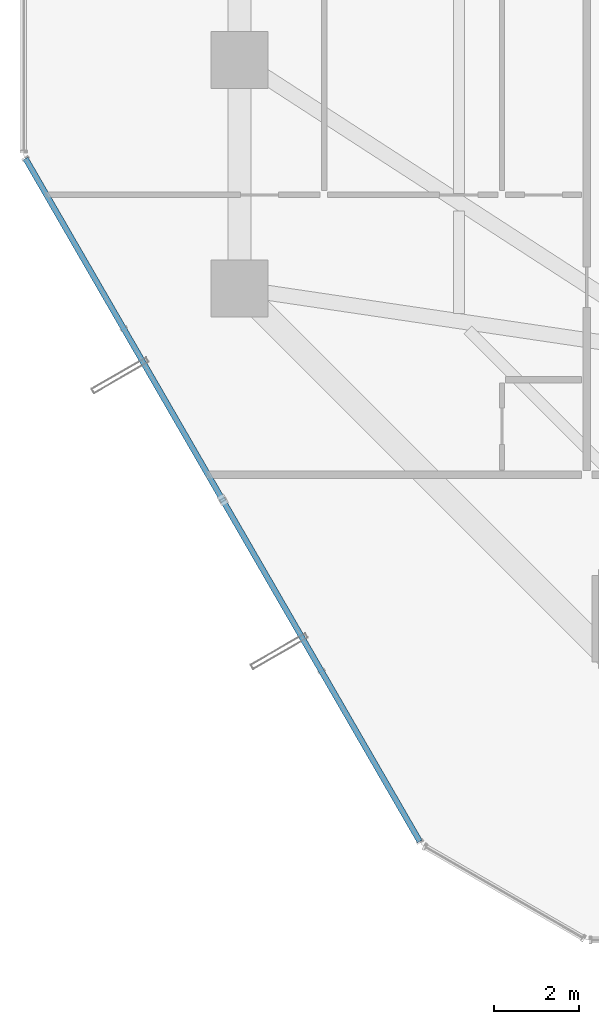
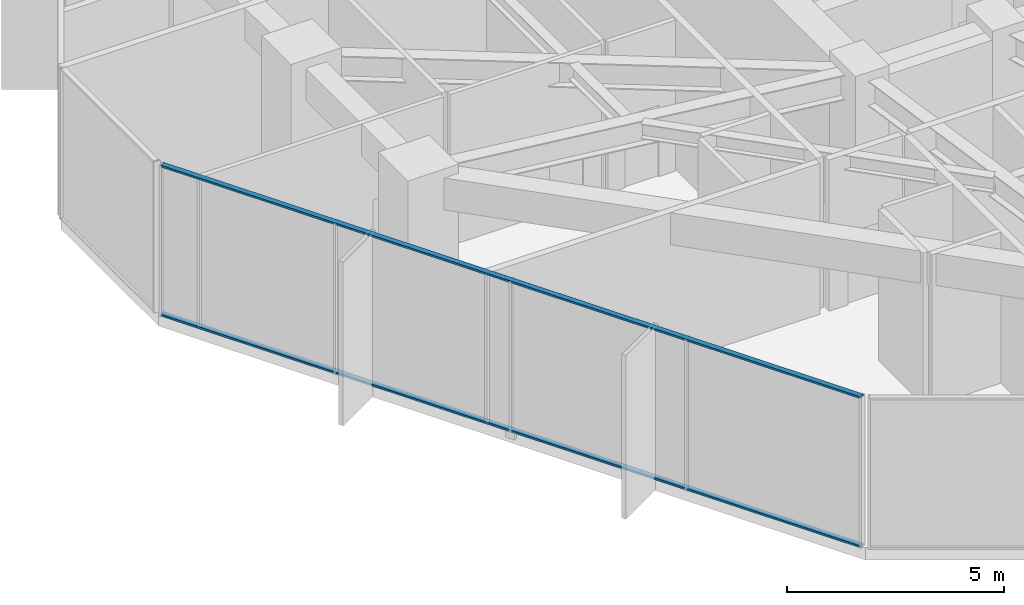
# One storey, part 3 of 39: 2 members, 1 element without a shape of its own.
"""IFC4 building model written with IfcOpenShell, lengths in metres."""

from ifc_helpers import new_model, si_unit, direction, frame, origin, origin_2d, place, context, subcontext, project, spatial, hollow_rectangle, extrude, source, transform, mapped, material, layer, layer_set, material_profile, profile_set, type_object, element, aggregate, save


model = new_model("IFC4")

# Units and contexts
model_context = context("Model", 3, precision=1e-05, world=origin(), true_north=direction((0.0, 1.0)))
body_context = subcontext(model_context, "Body", "Model", "MODEL_VIEW")
ifc_project = project(units=[si_unit("LENGTHUNIT", "METRE"), si_unit("AREAUNIT", "SQUARE_METRE"), si_unit("VOLUMEUNIT", "CUBIC_METRE"), si_unit("PLANEANGLEUNIT", "RADIAN"), si_unit("MASSUNIT", "GRAM", prefix="KILO")], contexts=[model_context])

# Site, building, storey
site_placement = place(None, origin())
site = spatial("IfcSite", under=ifc_project, at=site_placement, CompositionType="ELEMENT")
building_placement = place(site_placement, origin())
building = spatial("IfcBuilding", under=site, at=building_placement, Name="Veraguas Prism Commons", CompositionType="ELEMENT")
storey_placement = place(building_placement, frame((0.0, 0.0, 22.800048828125)))
storey = spatial("IfcBuildingStorey", under=building, at=storey_placement, Name="L05", CompositionType="ELEMENT", Elevation=22.800048828125)

# Curtain wall, members
ifc_material = material(Name="Anodised aluminium EN AW-6063 T6", Category="aluminium")
ifc_layer = layer(ifc_material, 0.169921875, Name="Unitised Flush Curtain Wall Zone 1", Category="aluminium")
ifc_layer_set = layer_set([ifc_layer], Name="Anodised aluminium EN AW-6063 T6")
curtain_wall_type = type_object("IfcCurtainWallType", Name="Unitised Flush Curtain Wall Zone 1", PredefinedType="NOTDEFINED", material=ifc_layer_set)
curtain_wall_placement = place(storey_placement, origin())
curtain_wall = element("IfcCurtainWall", 1, at=curtain_wall_placement, inside=storey, type_object=curtain_wall_type, Name="Tower Facade Curtain Wall L05-F4", PredefinedType="NOTDEFINED")
ifc_material_profile = material_profile(ifc_material, hollow_rectangle(XDim=0.054931640625, YDim=0.135009765625, WallThickness=0.0029296875, at=origin_2d()), Name="AL55X135X3")
ifc_profile_set = profile_set([ifc_material_profile], Name="Anodised aluminium EN AW-6063 T6")
member_type = type_object("IfcMemberType", Name="Curtain Wall Transom Standard AL 55x135x3", PredefinedType="USERDEFINED", material=ifc_profile_set)
shared_shape = source(origin(), body_context, "Body", "SweptSolid", [
    extrude(hollow_rectangle(XDim=0.054931640625, YDim=0.135009765625, WallThickness=0.0029296875, at=origin_2d()), origin(), (0.0, 0.0, 1.0), 18.623779296875),
])
member_1_placement = place(storey_placement, frame((1.343994140625, 21.672119140625, 0.02734375), z_axis=(0.500005006005, -0.866022513547, 0.0), x_axis=(0.0, 0.0, 1.0)))
member_1 = element("IfcMember", 2, at=member_1_placement, type_object=member_type, Name="CW-Z1 Transom 1", ObjectType="TRANSOM", PredefinedType="USERDEFINED", context=body_context, shape_type="MappedRepresentation", body=[
    mapped(shared_shape, transform((0.0, 0.0, 0.0), scale=1.0)),
])
member_2_placement = place(storey_placement, frame((1.343994140625, 21.672119140625, 4.222412109375), z_axis=(0.500005006005, -0.866022513547, 0.0), x_axis=(0.0, 0.0, 1.0)))
member_2 = element("IfcMember", 3, at=member_2_placement, type_object=member_type, Name="CW-Z1 Transom 2", ObjectType="TRANSOM", PredefinedType="USERDEFINED", context=body_context, shape_type="MappedRepresentation", body=[
    mapped(shared_shape, transform((0.0, 0.0, 0.0), scale=1.0)),
])
aggregate(curtain_wall, [member_1, member_2])

save(model, "model.ifc")
